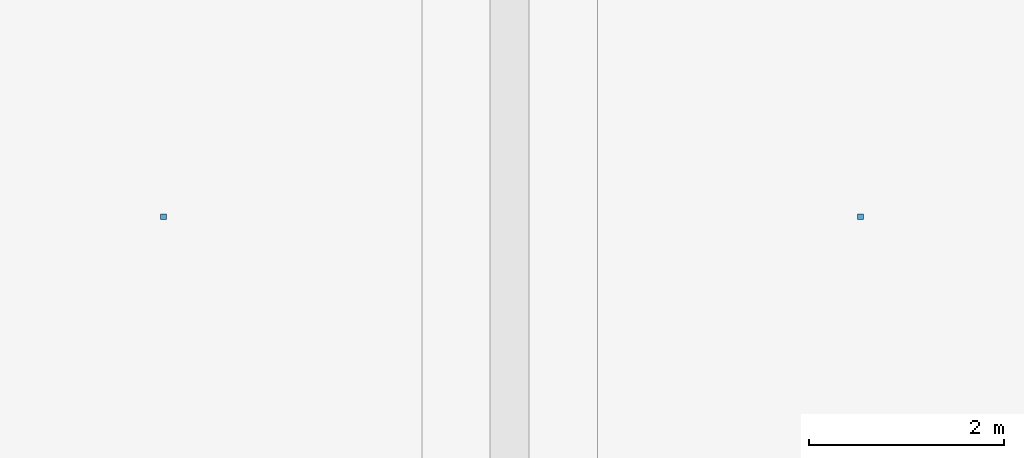
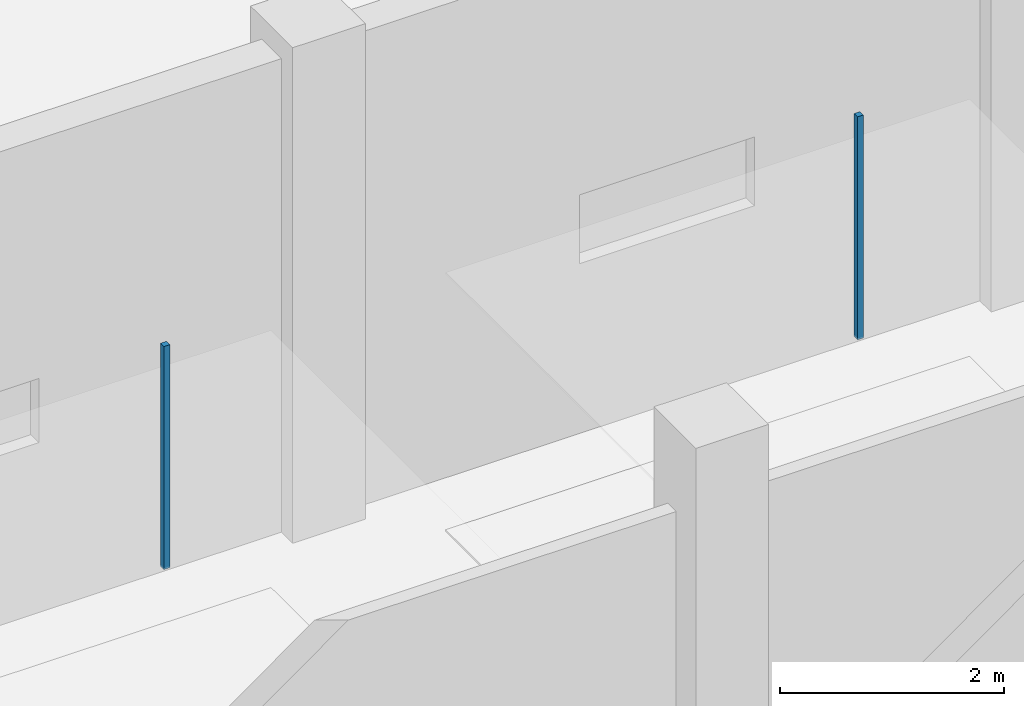
# One storey, part 72 of 90: 2 discrete accessories.
"""IFC4 building model written with IfcOpenShell, lengths in metres."""

import ifcopenshell
import ifcopenshell.guid

model = None  # the IFC model being written
_history = None  # IfcOwnerHistory: only IFC2X3 demands one
_inside = {}  # id of a spatial element -> (the spatial element, [elements in it])
_under = {}  # id of a project, library or spatial element -> (it, [spatial elements below it])
_declared = {}  # id of a project -> (the project, [libraries it declares])
_typed = {}  # id of a type object -> (the type object, [elements of that type])
_made_of = {}  # id of a material, layer set ... -> (it, [elements and type objects made of it])


def new_model(schema):
    """Start an empty IFC model of exactly this schema.

    Asked for "IFC4X3", IfcOpenShell would pick the latest addendum, in which some entities
    have other attributes; the version numbers below select the first issue.
    IFC2X3 requires an IfcOwnerHistory on every rooted entity: one is made here for all.
    """
    global model, _history
    if schema == "IFC4X3":
        model = ifcopenshell.file(schema_version=(4, 3, 0, 0))
    else:
        model = ifcopenshell.file(schema=schema)
    _inside.clear()
    _under.clear()
    _declared.clear()
    _typed.clear()
    _made_of.clear()
    _history = None
    if model.schema == "IFC2X3":
        org = make("IfcOrganization", Name="unknown")
        user = make(
            "IfcPersonAndOrganization",
            ThePerson=make("IfcPerson", FamilyName="unknown"),
            TheOrganization=org,
        )
        app = make(
            "IfcApplication",
            ApplicationDeveloper=org,
            Version="unknown",
            ApplicationFullName="unknown",
            ApplicationIdentifier="unknown",
        )
        _history = make(
            "IfcOwnerHistory",
            OwningUser=user,
            OwningApplication=app,
            ChangeAction="ADDED",
            CreationDate=0,
        )
    return model


def make(cls, **values):
    """One entity of the class cls with the attributes given. An attribute that is None is left unset."""
    return model.create_entity(
        cls, **{name: value for name, value in values.items() if value is not None}
    )


def rooted(cls, **values):
    """An entity with a GlobalId (a new one), such as an element, a storey or a relation."""
    return make(cls, GlobalId=ifcopenshell.guid.new(), OwnerHistory=_history, **values)


def si_unit(unit_type, name, prefix=None):
    """IfcSIUnit, for example si_unit("LENGTHUNIT", "METRE", prefix="MILLI")."""
    return make("IfcSIUnit", UnitType=unit_type, Prefix=prefix, Name=name)


def assignment(units):
    """IfcUnitAssignment: the units of a project."""
    return None if units is None else make("IfcUnitAssignment", Units=units)


def point(xyz):
    """IfcCartesianPoint."""
    return None if xyz is None else make("IfcCartesianPoint", Coordinates=xyz)


def direction(xyz):
    """IfcDirection."""
    return None if xyz is None else make("IfcDirection", DirectionRatios=xyz)


def frame(location, z_axis=None, x_axis=None):
    """IfcAxis2Placement3D, a coordinate frame: its origin and axes. An axis left out is left unset."""
    return make(
        "IfcAxis2Placement3D",
        Location=point(location),
        Axis=direction(z_axis),
        RefDirection=direction(x_axis),
    )


def frame_2d(location, x_axis=None):
    """IfcAxis2Placement2D, a coordinate frame in the plane: its origin and x axis."""
    return make(
        "IfcAxis2Placement2D", Location=point(location), RefDirection=direction(x_axis)
    )


def origin():
    """The frame at (0, 0, 0) with its axes left unset."""
    return frame((0.0, 0.0, 0.0))


def origin_2d():
    """The frame at (0, 0) in the plane with its x axis left unset."""
    return frame_2d((0.0, 0.0))


def place(relative_to, where):
    """IfcLocalPlacement: puts the frame where relative to a parent placement (None: the world)."""
    return make(
        "IfcLocalPlacement", PlacementRelTo=relative_to, RelativePlacement=where
    )


def context(
    kind, dimensions, precision=None, world=None, true_north=None, identifier=None
):
    """IfcGeometricRepresentationContext, for example the 3D "Model" context."""
    return make(
        "IfcGeometricRepresentationContext",
        ContextIdentifier=identifier,
        ContextType=kind,
        CoordinateSpaceDimension=dimensions,
        Precision=precision,
        WorldCoordinateSystem=world,
        TrueNorth=true_north,
    )


def subcontext(parent, identifier, kind, view, scale=None):
    """IfcGeometricRepresentationSubContext, for example "Body" below "Model"."""
    return make(
        "IfcGeometricRepresentationSubContext",
        ContextIdentifier=identifier,
        ContextType=kind,
        ParentContext=parent,
        TargetScale=scale,
        TargetView=view,
    )


def project(units=None, contexts=None):
    """IfcProject with its units and contexts."""
    return rooted(
        "IfcProject",
        Name="project",
        RepresentationContexts=contexts,
        UnitsInContext=assignment(units),
    )


def spatial(cls, under=None, at=None, **own):
    """A site, building, storey or space (cls), placed at a placement, below another one or the project."""
    s = rooted(cls, ObjectPlacement=at, **own)
    if under is not None:
        _under.setdefault(under.id(), (under, []))[1].append(s)
    return s


def profile(cls, at=None, kind="AREA", **sizes):
    """A parametric profile (cls). Its sizes go by their IFC names, for example OverallWidth=200.0."""
    return make(cls, ProfileType=kind, Position=at, **sizes)


def rectangle(**sizes):
    """IfcRectangleProfileDef."""
    return profile("IfcRectangleProfileDef", **sizes)


def extrude(swept, where, along, depth):
    """IfcExtrudedAreaSolid: the profile swept, set in the frame where, extruded along a direction by depth."""
    return make(
        "IfcExtrudedAreaSolid",
        SweptArea=swept,
        Position=where,
        ExtrudedDirection=direction(along),
        Depth=depth,
    )


def shape(context_of_items, identifier, shape_type, items):
    """IfcShapeRepresentation: the items that make up one representation, for example the "Body"."""
    return make(
        "IfcShapeRepresentation",
        ContextOfItems=context_of_items,
        RepresentationIdentifier=identifier,
        RepresentationType=shape_type,
        Items=items,
    )


def material(Name=None, Category=None):
    """IfcMaterial."""
    return make("IfcMaterial", Name=Name, Category=Category)


def made_of(thing, what):
    """Note that an element or type object is made of a material, layer set ...; save() writes the relation."""
    if what is not None:
        _made_of.setdefault(what.id(), (what, []))[1].append(thing)
    return thing


def type_object(cls, material=None, **own):
    """A type object (cls), such as IfcWallType, which elements share."""
    return made_of(rooted(cls, **own), material)


def element(
    cls,
    number,
    at=None,
    inside=None,
    cuts=None,
    type_object=None,
    material=None,
    context=None,
    identifier="Body",
    shape_type=None,
    held_by="IfcProductDefinitionShape",
    body=None,
    shapes=None,
    **own,
):
    """One element of the class cls, such as IfcWall. Its Tag is "e" and its number.

    at: its placement. inside: the storey or other place that contains it. cuts: it is an
    opening in that element (IfcRelVoidsElement). A single representation is given by context,
    identifier, shape_type and body (its items); several are given by shapes. held_by: the class
    of the entity that holds the representations. save() writes the other relations.
    """
    e = rooted(cls, Tag="e%d" % number, ObjectPlacement=at, **own)
    if body is not None:
        shapes = [shape(context, identifier, shape_type, body)]
    if shapes is not None:
        e.Representation = make(held_by, Representations=shapes)
    if inside is not None:
        _inside.setdefault(inside.id(), (inside, []))[1].append(e)
    if cuts is not None:
        rooted(
            "IfcRelVoidsElement", RelatingBuildingElement=cuts, RelatedOpeningElement=e
        )
    if type_object is not None:
        _typed.setdefault(type_object.id(), (type_object, []))[1].append(e)
    return made_of(e, material)


def aggregate(whole, parts):
    """IfcRelAggregates: a whole, such as a stair, and the parts it consists of."""
    return rooted("IfcRelAggregates", RelatingObject=whole, RelatedObjects=parts)


def save(model, path):
    """Write the relations noted so far, then the file.

    IfcRelAggregates (storeys below a building ...), IfcRelContainedInSpatialStructure (elements
    in a storey), IfcRelDefinesByType, IfcRelAssociatesMaterial and IfcRelDeclares: one each for
    every whole, place, type object, material and project.
    """
    for whole, parts in _under.values():
        aggregate(whole, parts)
    for where, things in _inside.values():
        rooted(
            "IfcRelContainedInSpatialStructure",
            RelatedElements=things,
            RelatingStructure=where,
        )
    for kind, things in _typed.values():
        rooted("IfcRelDefinesByType", RelatedObjects=things, RelatingType=kind)
    for what, things in _made_of.values():
        rooted("IfcRelAssociatesMaterial", RelatedObjects=things, RelatingMaterial=what)
    for by, libraries in _declared.values():
        rooted("IfcRelDeclares", RelatingContext=by, RelatedDefinitions=libraries)
    model.write(path)


model = new_model("IFC4")

# Units and contexts
model_context = context("Model", 3, precision=1e-05, world=origin(), true_north=direction((0.0, 1.0)))
body_context = subcontext(model_context, "Body", "Model", "MODEL_VIEW")
ifc_project = project(units=[si_unit("LENGTHUNIT", "METRE"), si_unit("AREAUNIT", "SQUARE_METRE"), si_unit("VOLUMEUNIT", "CUBIC_METRE"), si_unit("PLANEANGLEUNIT", "RADIAN"), si_unit("MASSUNIT", "GRAM", prefix="KILO")], contexts=[model_context])

# Site, building, storey
site_placement = place(None, origin())
site = spatial("IfcSite", under=ifc_project, at=site_placement, CompositionType="ELEMENT")
building_placement = place(site_placement, origin())
building = spatial("IfcBuilding", under=site, at=building_placement, Name="Kangsadwip Square Police Headquarters", CompositionType="ELEMENT")
storey_placement = place(building_placement, origin())
storey = spatial("IfcBuildingStorey", under=building, at=storey_placement, Name="L00", CompositionType="ELEMENT", Elevation=0.0)

# Discrete accessories
ifc_material = material(Name="Structural steel IS 2062 E350 (Grade 350, 350 MPa)", Category="steel")
discrete_accessory_type = type_object("IfcDiscreteAccessoryType", Name="VeilOutriggerBracket", PredefinedType="BRACKET", material=ifc_material)
for number, where, z_axis, x_axis, name in (
    (1, (111.64990234375, 32.39990234375, 2.81005859375), (0.0, 0.0, 1.0), (1.0, 0.0, 0.0), "Ceiling Suspension Hanger L00-031"),
    (2, (118.800048828125, 32.39990234375, 2.81005859375), (0.0, 0.0, 1.0), (1.0, 0.0, 0.0), "Ceiling Suspension Hanger L00-032"),
):
    element("IfcDiscreteAccessory", number, at=place(storey_placement, frame(where, z_axis=z_axis, x_axis=x_axis)), inside=storey, type_object=discrete_accessory_type, Name=name, PredefinedType="BRACKET", context=body_context, shape_type="SweptSolid", body=[
        extrude(rectangle(XDim=0.06005859375, YDim=0.06005859375, at=origin_2d()), origin(), (0.0, 0.0, 1.0), 2.429931640625),
    ])

save(model, "model.ifc")
